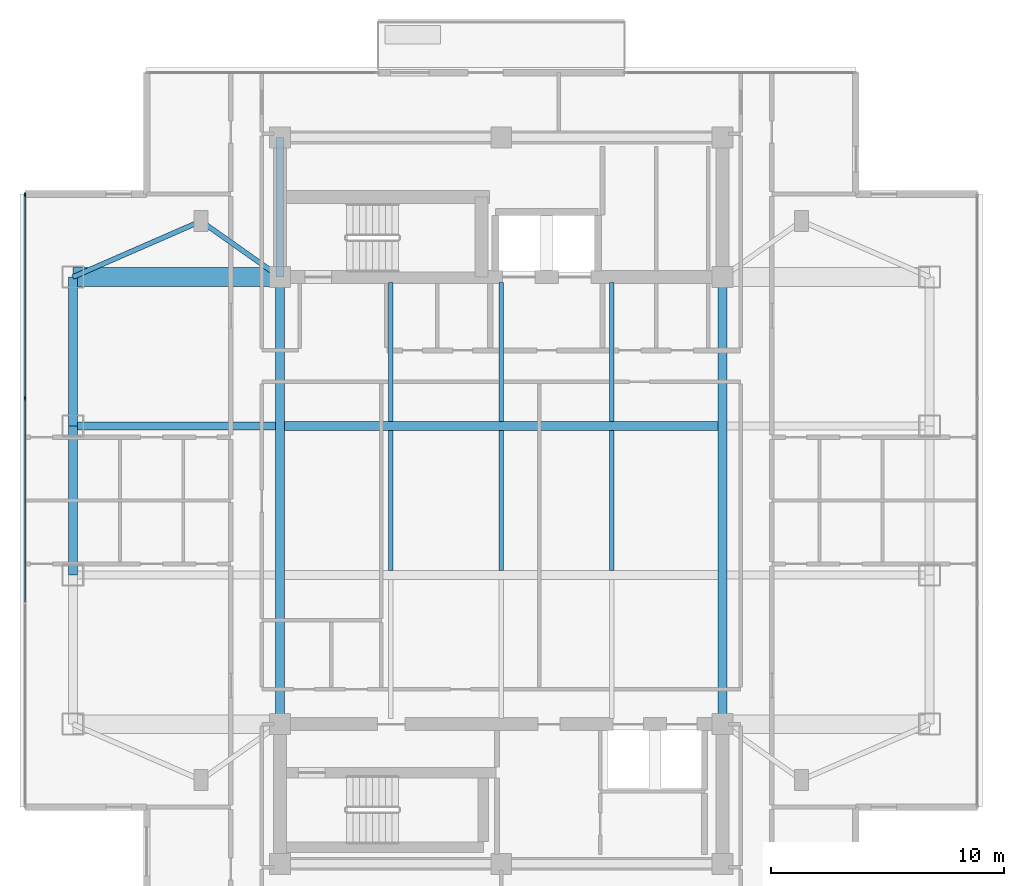
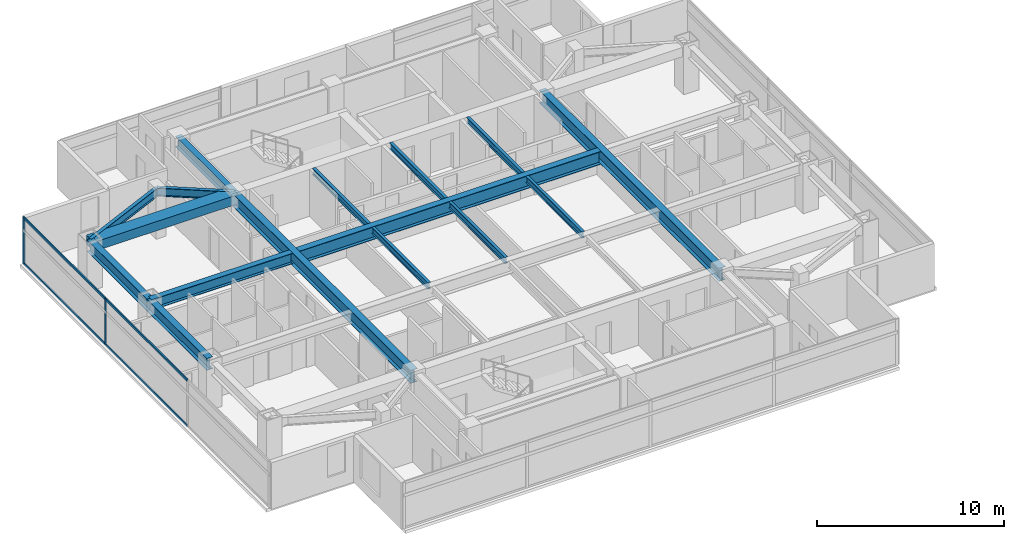
# One storey, part 3 of 24: 16 beams, 6 members, 1 element without a shape of its own.
"""IFC4 building model written with IfcOpenShell, lengths in metres."""

from ifc_helpers import new_model, si_unit, direction, frame, origin, origin_2d, place, context, subcontext, project, spatial, rectangle, i_section, extrude, material, material_profile, profile_set, type_object, element, aggregate, save


model = new_model("IFC4")

# Units and contexts
model_context = context("Model", 3, precision=1e-05, world=origin(), true_north=direction((0.0, 1.0)))
body_context = subcontext(model_context, "Body", "Model", "MODEL_VIEW")
ifc_project = project(units=[si_unit("LENGTHUNIT", "METRE"), si_unit("AREAUNIT", "SQUARE_METRE"), si_unit("VOLUMEUNIT", "CUBIC_METRE"), si_unit("PLANEANGLEUNIT", "RADIAN"), si_unit("MASSUNIT", "GRAM", prefix="KILO")], contexts=[model_context])

# Site, building, storey
site_placement = place(None, origin())
site = spatial("IfcSite", under=ifc_project, at=site_placement, CompositionType="ELEMENT")
building_placement = place(site_placement, origin())
building = spatial("IfcBuilding", under=site, at=building_placement, Name="Mirazonda Arch Towers", CompositionType="ELEMENT")
storey_placement = place(building_placement, frame((0.0, 0.0, 196.64990234375)))
storey = spatial("IfcBuildingStorey", under=building, at=storey_placement, Name="L56", CompositionType="ELEMENT", Elevation=196.64990234375)

# Beams
ifc_material_1 = material(Name="Steel ASTM A992 Grade 50", Category="steel")
ifc_material_profile_1 = material_profile(ifc_material_1, i_section(OverallWidth=0.381103515625, OverallDepth=0.77294921875, WebThickness=0.0166015625, FlangeThickness=0.027099609375, at=origin_2d()), Name="W30X173")
ifc_profile_set_1 = profile_set([ifc_material_profile_1], Name="Steel ASTM A992 Grade 50")
beam_type_1 = type_object("IfcBeamType", Name="BM-EXT-W30X173", PredefinedType="USERDEFINED", material=ifc_profile_set_1)
beam_1_placement = place(storey_placement, frame((2.10009765625, 24.800048828125, 2.66357421875), z_axis=(0.0, 1.0, 0.0), x_axis=(-1.0, 0.0, 0.0)))
element("IfcBeam", 1, at=beam_1_placement, inside=storey, type_object=beam_type_1, Name="L56 Floor Beam BM-T1-L56-NS-W-24", ObjectType="GIRDER", PredefinedType="USERDEFINED", context=body_context, shape_type="SweptSolid", body=[
    extrude(i_section(OverallWidth=0.381103515625, OverallDepth=0.77294921875, WebThickness=0.0166015625, FlangeThickness=0.027099609375, at=origin_2d()), origin(), (0.0, 0.0, 1.0), 6.39990234375),
])
beam_2_placement = place(storey_placement, frame((2.10009765625, 31.199951171875, 2.66357421875), z_axis=(0.0, 1.0, 0.0), x_axis=(-1.0, 0.0, 0.0)))
element("IfcBeam", 2, at=beam_2_placement, inside=storey, type_object=beam_type_1, Name="L56 Floor Beam BM-T1-L56-NS-W-31", ObjectType="GIRDER", PredefinedType="USERDEFINED", context=body_context, shape_type="SweptSolid", body=[
    extrude(i_section(OverallWidth=0.381103515625, OverallDepth=0.77294921875, WebThickness=0.0166015625, FlangeThickness=0.027099609375, at=origin_2d()), origin(), (0.0, 0.0, 1.0), 6.400146484375),
])
ifc_material_profile_2 = material_profile(ifc_material_1, i_section(OverallWidth=0.180908203125, OverallDepth=0.4169921875, WebThickness=0.010986328125, FlangeThickness=0.018310546875, at=origin_2d()), Name="W16X57")
ifc_profile_set_2 = profile_set([ifc_material_profile_2], Name="Steel ASTM A992 Grade 50")
beam_type_2 = type_object("IfcBeamType", Name="BM-INT-W16X57", PredefinedType="JOIST", material=ifc_profile_set_2)
beam_3_placement = place(storey_placement, frame((15.75, 31.39599609375, 2.841552734375), z_axis=(0.0, 1.0, 0.0), x_axis=(-1.0, 0.0, 0.0)))
element("IfcBeam", 3, at=beam_3_placement, inside=storey, type_object=beam_type_2, Name="L56 Floor Beam BM-T1-L56-J-157-31", PredefinedType="JOIST", context=body_context, shape_type="SweptSolid", body=[
    extrude(i_section(OverallWidth=0.180908203125, OverallDepth=0.4169921875, WebThickness=0.010986328125, FlangeThickness=0.018310546875, at=origin_2d()), origin(), (0.0, 0.0, 1.0), 5.964111328125),
])
beam_4_placement = place(storey_placement, frame((15.75, 24.99609375, 2.841552734375), z_axis=(0.0, 1.0, 0.0), x_axis=(-1.0, 0.0, 0.0)))
element("IfcBeam", 4, at=beam_4_placement, inside=storey, type_object=beam_type_2, Name="L56 Floor Beam BM-T1-L56-J-157-24", PredefinedType="JOIST", context=body_context, shape_type="SweptSolid", body=[
    extrude(i_section(OverallWidth=0.180908203125, OverallDepth=0.4169921875, WebThickness=0.010986328125, FlangeThickness=0.018310546875, at=origin_2d()), origin(), (0.0, 0.0, 1.0), 6.0078125),
])
beam_5_placement = place(storey_placement, frame((20.5, 31.39599609375, 2.841552734375), z_axis=(0.0, 1.0, 0.0), x_axis=(-1.0, 0.0, 0.0)))
element("IfcBeam", 5, at=beam_5_placement, inside=storey, type_object=beam_type_2, Name="L56 Floor Beam BM-T1-L56-J-205-31", PredefinedType="JOIST", context=body_context, shape_type="SweptSolid", body=[
    extrude(i_section(OverallWidth=0.180908203125, OverallDepth=0.4169921875, WebThickness=0.010986328125, FlangeThickness=0.018310546875, at=origin_2d()), origin(), (0.0, 0.0, 1.0), 5.964111328125),
])
beam_6_placement = place(storey_placement, frame((20.5, 24.99609375, 2.841552734375), z_axis=(0.0, 1.0, 0.0), x_axis=(-1.0, 0.0, 0.0)))
element("IfcBeam", 6, at=beam_6_placement, inside=storey, type_object=beam_type_2, Name="L56 Floor Beam BM-T1-L56-J-205-24", PredefinedType="JOIST", context=body_context, shape_type="SweptSolid", body=[
    extrude(i_section(OverallWidth=0.180908203125, OverallDepth=0.4169921875, WebThickness=0.010986328125, FlangeThickness=0.018310546875, at=origin_2d()), origin(), (0.0, 0.0, 1.0), 6.0078125),
])
beam_7_placement = place(storey_placement, frame((25.25, 31.39599609375, 2.841552734375), z_axis=(0.0, 1.0, 0.0), x_axis=(-1.0, 0.0, 0.0)))
element("IfcBeam", 7, at=beam_7_placement, inside=storey, type_object=beam_type_2, Name="L56 Floor Beam BM-T1-L56-J-252-31", PredefinedType="JOIST", context=body_context, shape_type="SweptSolid", body=[
    extrude(i_section(OverallWidth=0.180908203125, OverallDepth=0.4169921875, WebThickness=0.010986328125, FlangeThickness=0.018310546875, at=origin_2d()), origin(), (0.0, 0.0, 1.0), 5.964111328125),
])
beam_8_placement = place(storey_placement, frame((25.25, 24.99609375, 2.841552734375), z_axis=(0.0, 1.0, 0.0), x_axis=(-1.0, 0.0, 0.0)))
element("IfcBeam", 8, at=beam_8_placement, inside=storey, type_object=beam_type_2, Name="L56 Floor Beam BM-T1-L56-J-252-24", PredefinedType="JOIST", context=body_context, shape_type="SweptSolid", body=[
    extrude(i_section(OverallWidth=0.180908203125, OverallDepth=0.4169921875, WebThickness=0.010986328125, FlangeThickness=0.018310546875, at=origin_2d()), origin(), (0.0, 0.0, 1.0), 6.0078125),
])
ifc_material_profile_3 = material_profile(ifc_material_1, i_section(OverallWidth=0.214111328125, OverallDepth=0.549072265625, WebThickness=0.0146484375, FlangeThickness=0.023681640625, at=origin_2d()), Name="W21X93")
ifc_profile_set_3 = profile_set([ifc_material_profile_3], Name="Steel ASTM A992 Grade 50")
beam_type_3 = type_object("IfcBeamType", Name="BM-INT-W21X93", PredefinedType="BEAM", material=ifc_profile_set_3)
beam_9_placement = place(storey_placement, frame((7.60009765625, 40.0, 2.775634765625), z_axis=(0.816971114901, -0.576678591087, 0.0), x_axis=(0.576678591087, 0.816971114901, 0.0)))
element("IfcBeam", 9, at=beam_9_placement, inside=storey, type_object=beam_type_3, Name="L56 Floor Beam BM-T1-L56-PL-NW1", PredefinedType="BEAM", context=body_context, shape_type="SweptSolid", body=[
    extrude(i_section(OverallWidth=0.214111328125, OverallDepth=0.549072265625, WebThickness=0.0146484375, FlangeThickness=0.023681640625, at=origin_2d()), origin(), (0.0, 0.0, 1.0), 4.16162109375),
])
beam_10_placement = place(storey_placement, frame((7.60009765625, 40.0, 2.775634765625), z_axis=(-0.916545343703, -0.399930785183, 0.0), x_axis=(0.399930785183, -0.916545343703, 0.0)))
element("IfcBeam", 10, at=beam_10_placement, inside=storey, type_object=beam_type_3, Name="L56 Floor Beam BM-T1-L56-PL-NW2", PredefinedType="BEAM", context=body_context, shape_type="SweptSolid", body=[
    extrude(i_section(OverallWidth=0.214111328125, OverallDepth=0.549072265625, WebThickness=0.0146484375, FlangeThickness=0.023681640625, at=origin_2d()), origin(), (0.0, 0.0, 1.0), 6.000732421875),
])
ifc_material_profile_4 = material_profile(ifc_material_1, i_section(OverallWidth=0.35498046875, OverallDepth=0.696044921875, WebThickness=0.015380859375, FlangeThickness=0.02490234375, at=origin_2d()), Name="W27X146")
ifc_profile_set_4 = profile_set([ifc_material_profile_4], Name="Steel ASTM A992 Grade 50")
beam_type_4 = type_object("IfcBeamType", Name="BM-INT-W27X146", PredefinedType="BEAM", material=ifc_profile_set_4)
beam_11_placement = place(storey_placement, frame((2.10009765625, 31.199951171875, 2.7021484375), z_axis=(1.0, 0.0, 0.0), x_axis=(0.0, 1.0, 0.0)))
element("IfcBeam", 11, at=beam_11_placement, inside=storey, type_object=beam_type_4, Name="L56 Floor Beam BM-T1-L56-GW3", PredefinedType="BEAM", context=body_context, shape_type="SweptSolid", body=[
    extrude(i_section(OverallWidth=0.35498046875, OverallDepth=0.696044921875, WebThickness=0.015380859375, FlangeThickness=0.02490234375, at=origin_2d()), origin(), (0.0, 0.0, 1.0), 8.699951171875),
])
beam_12_placement = place(storey_placement, frame((11.0, 37.60009765625, 2.7021484375), z_axis=(0.0, 1.0, 0.0), x_axis=(-1.0, 0.0, 0.0)))
element("IfcBeam", 12, at=beam_12_placement, inside=storey, type_object=beam_type_4, Name="L56 Floor Beam BM-T1-L56-CNW", PredefinedType="BEAM", context=body_context, shape_type="SweptSolid", body=[
    extrude(i_section(OverallWidth=0.35498046875, OverallDepth=0.696044921875, WebThickness=0.015380859375, FlangeThickness=0.02490234375, at=origin_2d()), origin(), (0.0, 0.0, 1.0), 6.0),
])
ifc_material_profile_5 = material_profile(ifc_material_1, i_section(OverallWidth=0.39990234375, OverallDepth=0.85595703125, WebThickness=0.018310546875, FlangeThickness=0.029296875, at=origin_2d()), Name="W33X201")
ifc_profile_set_5 = profile_set([ifc_material_profile_5], Name="Steel ASTM A992 Grade 50")
beam_type_5 = type_object("IfcBeamType", Name="BM-INT-W33X201", PredefinedType="USERDEFINED", material=ifc_profile_set_5)
beam_13_placement = place(storey_placement, frame((11.199951171875, 31.199951171875, 2.6220703125), z_axis=(1.0, 0.0, 0.0), x_axis=(0.0, 1.0, 0.0)))
element("IfcBeam", 13, at=beam_13_placement, inside=storey, type_object=beam_type_5, Name="L56 Floor Beam BM-T1-L56-GC3", ObjectType="GIRDER", PredefinedType="USERDEFINED", context=body_context, shape_type="SweptSolid", body=[
    extrude(i_section(OverallWidth=0.39990234375, OverallDepth=0.85595703125, WebThickness=0.018310546875, FlangeThickness=0.029296875, at=origin_2d()), origin(), (0.0, 0.0, 1.0), 18.60009765625),
])
for number, where, z_axis, x_axis, name in (
    (14, (11.0, 18.39990234375, 2.6220703125), (0.0, 1.0, 0.0), (-1.0, 0.0, 0.0), "L56 Floor Beam BM-T1-L56-NS-CW-FULL"),
    (15, (30.0, 18.39990234375, 2.6220703125), (0.0, 1.0, 0.0), (-1.0, 0.0, 0.0), "L56 Floor Beam BM-T1-L56-NS-CE-FULL"),
):
    element("IfcBeam", number, at=place(storey_placement, frame(where, z_axis=z_axis, x_axis=x_axis)), inside=storey, type_object=beam_type_5, Name=name, ObjectType="GIRDER", PredefinedType="USERDEFINED", context=body_context, shape_type="SweptSolid", body=[
        extrude(i_section(OverallWidth=0.39990234375, OverallDepth=0.85595703125, WebThickness=0.018310546875, FlangeThickness=0.029296875, at=origin_2d()), origin(), (0.0, 0.0, 1.0), 19.2001953125),
    ])
ifc_material_2 = material(Name="Concrete C60/75", Category="concrete")
ifc_material_profile_6 = material_profile(ifc_material_2, rectangle(XDim=0.800048828125, YDim=0.60009765625, at=origin_2d()), Name="RCCB800x600")
ifc_profile_set_6 = profile_set([ifc_material_profile_6], Name="Concrete C60/75")
beam_type_6 = type_object("IfcBeamType", Name="CB-INT-RCCB800x600", PredefinedType="SPANDREL", material=ifc_profile_set_6)
beam_14_placement = place(storey_placement, frame((2.10009765625, 37.60009765625, 2.75), z_axis=(1.0, 0.0, 0.0), x_axis=(0.0, 1.0, 0.0)))
element("IfcBeam", 16, at=beam_14_placement, inside=storey, type_object=beam_type_6, Name="L56 Floor Beam CBC-T1-L56-NW", PredefinedType="SPANDREL", context=body_context, shape_type="SweptSolid", body=[
    extrude(rectangle(XDim=0.800048828125, YDim=0.60009765625, at=origin_2d()), origin(), (0.0, 0.0, 1.0), 8.89990234375),
])

# Curtain wall, members
ifc_material_3 = material(Name="Anodised Aluminium and Low-E Glass", Category="aluminium")
curtain_wall_type = type_object("IfcCurtainWallType", Name="CW-RES-UNIT", PredefinedType="NOTDEFINED", material=ifc_material_3)
curtain_wall_placement = place(storey_placement, origin())
curtain_wall = element("IfcCurtainWall", 17, at=curtain_wall_placement, inside=storey, type_object=curtain_wall_type, Name="L56 T1 W Facade CW-L56-T1-W", PredefinedType="NOTDEFINED")
ifc_material_4 = material(Name="Anodised Aluminium Alloy", Category="aluminium")
ifc_material_profile_7 = material_profile(ifc_material_4, rectangle(XDim=0.074951171875, YDim=0.175048828125, at=origin_2d()), Name="ALU-MULL-75x175")
ifc_profile_set_7 = profile_set([ifc_material_profile_7], Name="Anodised Aluminium Alloy")
member_type_1 = type_object("IfcMemberType", Name="MULL-CW-RES-UNIT", PredefinedType="MULLION", material=ifc_profile_set_7)
member_1_placement = place(storey_placement, frame((0.050048828125, 41.12939453125, 0.0), z_axis=(0.0, 0.0, 1.0), x_axis=(1.0, 0.0, 0.0)))
member_1 = element("IfcMember", 18, at=member_1_placement, type_object=member_type_1, Name="CW-104 mullion 1", PredefinedType="MULLION", context=body_context, shape_type="SweptSolid", body=[
    extrude(rectangle(XDim=0.074951171875, YDim=0.175048828125, at=origin_2d()), origin(), (0.0, 0.0, 1.0), 3.030029296875),
])
member_2_placement = place(storey_placement, frame((0.050048828125, 32.388916015625, 0.0), z_axis=(0.0, 0.0, 1.0), x_axis=(1.0, 0.0, 0.0)))
member_2 = element("IfcMember", 19, at=member_2_placement, type_object=member_type_1, Name="CW-104 mullion 2", PredefinedType="MULLION", context=body_context, shape_type="SweptSolid", body=[
    extrude(rectangle(XDim=0.074951171875, YDim=0.175048828125, at=origin_2d()), origin(), (0.0, 0.0, 1.0), 3.030029296875),
])
ifc_material_profile_8 = material_profile(ifc_material_4, rectangle(XDim=0.074951171875, YDim=0.155029296875, at=origin_2d()), Name="ALU-TRAN-75x155")
ifc_profile_set_8 = profile_set([ifc_material_profile_8], Name="Anodised Aluminium Alloy")
member_type_2 = type_object("IfcMemberType", Name="TRAN-CW-RES-UNIT", PredefinedType="USERDEFINED", material=ifc_profile_set_8)
member_3_placement = place(storey_placement, frame((0.050048828125, 41.092041015625, 0.03759765625), z_axis=(0.0, -1.0, 0.0), x_axis=(1.0, 0.0, 0.0)))
member_3 = element("IfcMember", 20, at=member_3_placement, type_object=member_type_2, Name="CW-104 transom 1.1", ObjectType="TRANSOM", PredefinedType="USERDEFINED", context=body_context, shape_type="SweptSolid", body=[
    extrude(rectangle(XDim=0.074951171875, YDim=0.155029296875, at=origin_2d()), origin(), (0.0, 0.0, 1.0), 8.66552734375),
])
member_4_placement = place(storey_placement, frame((0.050048828125, 41.092041015625, 2.99267578125), z_axis=(0.0, -1.0, 0.0), x_axis=(1.0, 0.0, 0.0)))
member_4 = element("IfcMember", 21, at=member_4_placement, type_object=member_type_2, Name="CW-104 transom 1.2", ObjectType="TRANSOM", PredefinedType="USERDEFINED", context=body_context, shape_type="SweptSolid", body=[
    extrude(rectangle(XDim=0.074951171875, YDim=0.155029296875, at=origin_2d()), origin(), (0.0, 0.0, 1.0), 8.66552734375),
])
member_5_placement = place(storey_placement, frame((0.050048828125, 32.3515625, 0.03759765625), z_axis=(0.0, -1.0, 0.0), x_axis=(1.0, 0.0, 0.0)))
member_5 = element("IfcMember", 22, at=member_5_placement, type_object=member_type_2, Name="CW-104 transom 2.1", ObjectType="TRANSOM", PredefinedType="USERDEFINED", context=body_context, shape_type="SweptSolid", body=[
    extrude(rectangle(XDim=0.074951171875, YDim=0.155029296875, at=origin_2d()), origin(), (0.0, 0.0, 1.0), 8.703125),
])
member_6_placement = place(storey_placement, frame((0.050048828125, 32.3515625, 2.99267578125), z_axis=(0.0, -1.0, 0.0), x_axis=(1.0, 0.0, 0.0)))
member_6 = element("IfcMember", 23, at=member_6_placement, type_object=member_type_2, Name="CW-104 transom 2.2", ObjectType="TRANSOM", PredefinedType="USERDEFINED", context=body_context, shape_type="SweptSolid", body=[
    extrude(rectangle(XDim=0.074951171875, YDim=0.155029296875, at=origin_2d()), origin(), (0.0, 0.0, 1.0), 8.703125),
])
aggregate(curtain_wall, [member_1, member_2, member_3, member_4, member_5, member_6])

save(model, "model.ifc")
